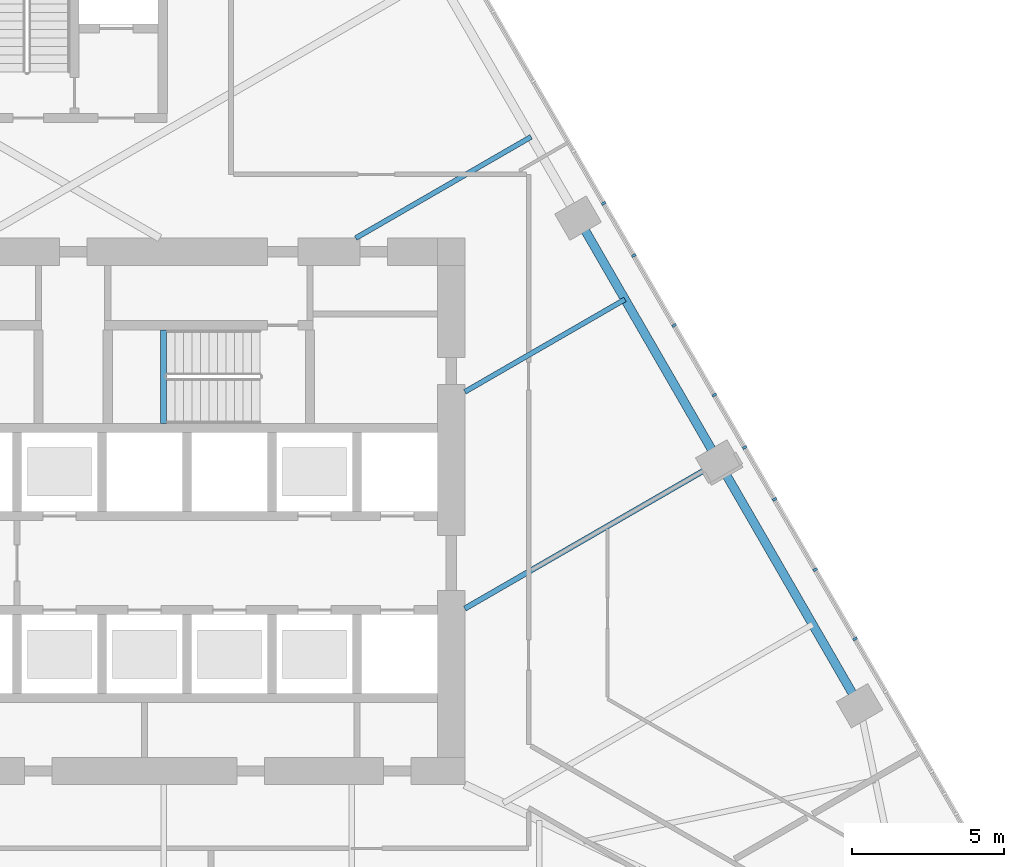
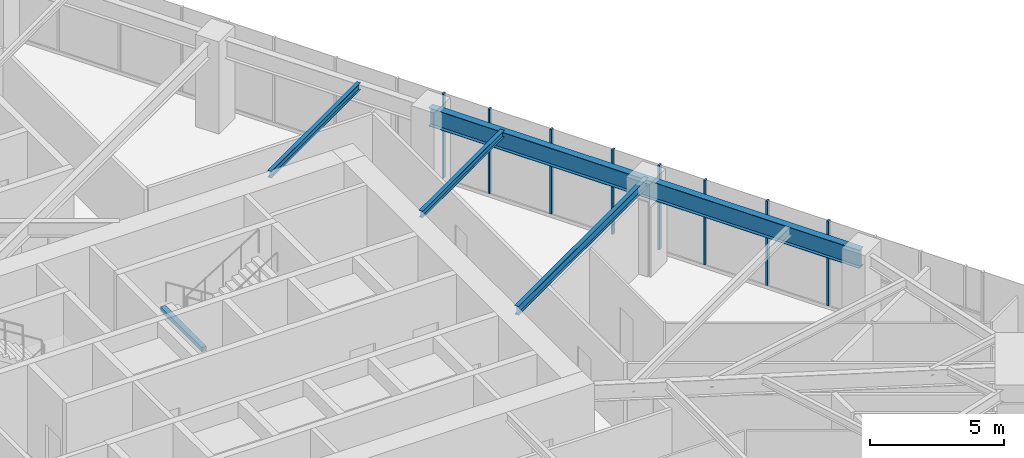
# One storey, part 7 of 22: 8 members, 5 beams, 1 element without a shape of its own.
"""IFC4 building model written with IfcOpenShell, lengths in metres."""

from ifc_helpers import new_model, si_unit, direction, frame, origin, origin_2d, place, context, subcontext, project, spatial, rectangle, i_section, extrude, material, layer, layer_set, material_profile, profile_set, type_object, element, aggregate, save


model = new_model("IFC4")

# Units and contexts
model_context = context("Model", 3, precision=1e-05, world=origin(), true_north=direction((0.0, 1.0)))
body_context = subcontext(model_context, "Body", "Model", "MODEL_VIEW")
ifc_project = project(units=[si_unit("LENGTHUNIT", "METRE"), si_unit("AREAUNIT", "SQUARE_METRE"), si_unit("VOLUMEUNIT", "CUBIC_METRE"), si_unit("PLANEANGLEUNIT", "RADIAN"), si_unit("MASSUNIT", "GRAM", prefix="KILO")], contexts=[model_context])

# Site, building, storey
site_placement = place(None, origin())
site = spatial("IfcSite", under=ifc_project, at=site_placement, CompositionType="ELEMENT")
building_placement = place(site_placement, origin())
building = spatial("IfcBuilding", under=site, at=building_placement, Name="Firuza Gate Tower and Library", CompositionType="ELEMENT")
storey_placement = place(building_placement, frame((0.0, 0.0, 132.39990234375)))
storey = spatial("IfcBuildingStorey", under=building, at=storey_placement, Name="L30", CompositionType="ELEMENT", Elevation=132.39990234375)

# Curtain wall, members
ifc_material_1 = material(Name="Aluminium 6063-T6", Category="aluminium")
ifc_layer = layer(ifc_material_1, 0.14990234375)
ifc_layer_set = layer_set([ifc_layer], Name="Unitised curtain wall, offices")
curtain_wall_type = type_object("IfcCurtainWallType", Name="Unitised curtain wall, offices", PredefinedType="NOTDEFINED", material=ifc_layer_set)
curtain_wall_placement = place(storey_placement, origin())
curtain_wall = element("IfcCurtainWall", 1, at=curtain_wall_placement, inside=storey, type_object=curtain_wall_type, Name="CW1 L30 E face", PredefinedType="NOTDEFINED")
ifc_material_2 = material(Name="Aluminium 6063-T6", Category="aluminium")
ifc_material_profile_1 = material_profile(ifc_material_2, rectangle(XDim=0.14990234375, YDim=0.080078125, at=origin_2d()))
ifc_profile_set_1 = profile_set([ifc_material_profile_1], Name="Aluminium 6063-T6")
member_type = type_object("IfcMemberType", Name="Curtain wall mullion 80x150", PredefinedType="MULLION", material=ifc_profile_set_1)
member_1_placement = place(storey_placement, frame((99.538330078125, 73.082275390625, 0.150146484375), z_axis=(0.0, 0.0, 1.0), x_axis=(-0.866025403784, -0.5, 0.0)))
member_1 = element("IfcMember", 2, at=member_1_placement, type_object=member_type, Name="Mullion", PredefinedType="MULLION", context=body_context, shape_type="SweptSolid", body=[
    extrude(rectangle(XDim=0.14990234375, YDim=0.080078125, at=origin_2d()), origin(), (0.0, 0.0, 1.0), 3.849853515625),
])
member_2_placement = place(storey_placement, frame((97.216796875, 77.103515625, 0.150146484375), z_axis=(0.0, 0.0, 1.0), x_axis=(-0.866025403784, -0.5, 0.0)))
member_2 = element("IfcMember", 3, at=member_2_placement, type_object=member_type, Name="Mullion", PredefinedType="MULLION", context=body_context, shape_type="SweptSolid", body=[
    extrude(rectangle(XDim=0.14990234375, YDim=0.080078125, at=origin_2d()), origin(), (0.0, 0.0, 1.0), 3.849853515625),
])
member_3_placement = place(storey_placement, frame((94.89501953125, 81.124755859375, 0.150146484375), z_axis=(0.0, 0.0, 1.0), x_axis=(-0.866025403784, -0.5, 0.0)))
member_3 = element("IfcMember", 4, at=member_3_placement, type_object=member_type, Name="Mullion", PredefinedType="MULLION", context=body_context, shape_type="SweptSolid", body=[
    extrude(rectangle(XDim=0.14990234375, YDim=0.080078125, at=origin_2d()), origin(), (0.0, 0.0, 1.0), 3.849853515625),
])
member_4_placement = place(storey_placement, frame((92.573486328125, 85.14599609375, 0.150146484375), z_axis=(0.0, 0.0, 1.0), x_axis=(-0.866025403784, -0.5, 0.0)))
member_4 = element("IfcMember", 5, at=member_4_placement, type_object=member_type, Name="Mullion", PredefinedType="MULLION", context=body_context, shape_type="SweptSolid", body=[
    extrude(rectangle(XDim=0.14990234375, YDim=0.080078125, at=origin_2d()), origin(), (0.0, 0.0, 1.0), 3.849853515625),
])
member_5_placement = place(storey_placement, frame((100.853759765625, 70.803955078125, 0.150146484375), z_axis=(0.0, 0.0, 1.0), x_axis=(-0.866025403784, -0.5, 0.0)))
member_5 = element("IfcMember", 6, at=member_5_placement, type_object=member_type, Name="Mullion", PredefinedType="MULLION", context=body_context, shape_type="SweptSolid", body=[
    extrude(rectangle(XDim=0.14990234375, YDim=0.080078125, at=origin_2d()), origin(), (0.0, 0.0, 1.0), 3.849853515625),
])
member_6_placement = place(storey_placement, frame((98.201416015625, 75.39794921875, 0.150146484375), z_axis=(0.0, 0.0, 1.0), x_axis=(-0.866025403784, -0.5, 0.0)))
member_6 = element("IfcMember", 7, at=member_6_placement, type_object=member_type, Name="Mullion", PredefinedType="MULLION", context=body_context, shape_type="SweptSolid", body=[
    extrude(rectangle(XDim=0.14990234375, YDim=0.080078125, at=origin_2d()), origin(), (0.0, 0.0, 1.0), 3.849853515625),
])
member_7_placement = place(storey_placement, frame((96.2177734375, 78.833984375, 0.150146484375), z_axis=(0.0, 0.0, 1.0), x_axis=(-0.866025403784, -0.5, 0.0)))
member_7 = element("IfcMember", 8, at=member_7_placement, type_object=member_type, Name="Mullion", PredefinedType="MULLION", context=body_context, shape_type="SweptSolid", body=[
    extrude(rectangle(XDim=0.14990234375, YDim=0.080078125, at=origin_2d()), origin(), (0.0, 0.0, 1.0), 3.849853515625),
])
member_8_placement = place(storey_placement, frame((93.565185546875, 83.427978515625, 0.150146484375), z_axis=(0.0, 0.0, 1.0), x_axis=(-0.866025403784, -0.5, 0.0)))
member_8 = element("IfcMember", 9, at=member_8_placement, type_object=member_type, Name="Mullion", PredefinedType="MULLION", context=body_context, shape_type="SweptSolid", body=[
    extrude(rectangle(XDim=0.14990234375, YDim=0.080078125, at=origin_2d()), origin(), (0.0, 0.0, 1.0), 3.849853515625),
])
aggregate(curtain_wall, [member_1, member_2, member_3, member_4, member_5, member_6, member_7, member_8])

# Beams
ifc_material_3 = material(Name="Concrete C35/45", Category="concrete")
ifc_material_profile_2 = material_profile(ifc_material_3, rectangle(XDim=0.199951171875, YDim=0.199951171875, at=origin_2d()))
ifc_profile_set_2 = profile_set([ifc_material_profile_2], Name="Concrete C35/45")
beam_type_1 = type_object("IfcBeamType", Name="Stair landing bearer 200x200", PredefinedType="BEAM", material=ifc_profile_set_2)
beam_1_placement = place(storey_placement, frame((78.080078125, 80.97998046875, 1.800048828125), z_axis=(0.0, -1.0, 0.0), x_axis=(1.0, 0.0, 0.0)))
element("IfcBeam", 10, at=beam_1_placement, inside=storey, type_object=beam_type_1, Name="Landing bearer L30 stair 2", PredefinedType="BEAM", context=body_context, shape_type="SweptSolid", body=[
    extrude(rectangle(XDim=0.199951171875, YDim=0.199951171875, at=origin_2d()), origin(), (0.0, 0.0, 1.0), 3.080078125),
])
ifc_material_4 = material(Name="Steel S355", Category="steel")
ifc_material_profile_3 = material_profile(ifc_material_4, i_section(OverallWidth=0.1650390625, OverallDepth=0.31005859375, WebThickness=0.005859375, FlangeThickness=0.009765625, at=origin_2d()))
ifc_profile_set_3 = profile_set([ifc_material_profile_3], Name="Steel S355")
beam_type_2 = type_object("IfcBeamType", Name="W310x39 Floor beam", PredefinedType="JOIST", material=ifc_profile_set_3)
beam_2_placement = place(storey_placement, frame((93.2744140625, 81.98193359375, 3.84521484375), z_axis=(-0.866026709368, -0.499997738657, 0.0), x_axis=(0.499997738657, -0.866026709368, 0.0)))
element("IfcBeam", 11, at=beam_2_placement, inside=storey, type_object=beam_type_2, Name="Floor beam L30 s52", PredefinedType="JOIST", context=body_context, shape_type="SweptSolid", body=[
    extrude(i_section(OverallWidth=0.1650390625, OverallDepth=0.31005859375, WebThickness=0.005859375, FlangeThickness=0.009765625, at=origin_2d()), origin(), (0.0, 0.0, 1.0), 6.09033203125),
])
beam_3_placement = place(storey_placement, frame((90.18359375, 87.335205078125, 3.84521484375), z_axis=(-0.866020406929, -0.500008654708, 0.0), x_axis=(0.500008654708, -0.866020406929, 0.0)))
element("IfcBeam", 12, at=beam_3_placement, inside=storey, type_object=beam_type_2, Name="Floor beam L30 s53", PredefinedType="JOIST", context=body_context, shape_type="SweptSolid", body=[
    extrude(i_section(OverallWidth=0.1650390625, OverallDepth=0.31005859375, WebThickness=0.005859375, FlangeThickness=0.009765625, at=origin_2d()), origin(), (0.0, 0.0, 1.0), 6.67041015625),
])
ifc_material_5 = material(Name="Steel S355", Category="steel")
ifc_material_profile_4 = material_profile(ifc_material_5, i_section(OverallWidth=0.177978515625, OverallDepth=0.406982421875, WebThickness=0.0078125, FlangeThickness=0.0126953125, at=origin_2d()))
ifc_profile_set_4 = profile_set([ifc_material_profile_4], Name="Steel S355")
beam_type_3 = type_object("IfcBeamType", Name="W410x60 Floor beam", PredefinedType="JOIST", material=ifc_profile_set_4)
beam_4_placement = place(storey_placement, frame((96.365234375, 76.62841796875, 3.796630859375), z_axis=(-0.866029011319, -0.499993751515, 0.0), x_axis=(0.499993751515, -0.866029011319, 0.0)))
element("IfcBeam", 13, at=beam_4_placement, inside=storey, type_object=beam_type_3, Name="Floor beam L30 s51", PredefinedType="JOIST", context=body_context, shape_type="SweptSolid", body=[
    extrude(i_section(OverallWidth=0.177978515625, OverallDepth=0.406982421875, WebThickness=0.0078125, FlangeThickness=0.0126953125, at=origin_2d()), origin(), (0.0, 0.0, 1.0), 9.6591796875),
])
ifc_material_6 = material(Name="Steel S355", Category="steel")
ifc_material_profile_5 = material_profile(ifc_material_6, i_section(OverallWidth=0.2919921875, OverallDepth=0.8349609375, WebThickness=0.013916015625, FlangeThickness=0.018798828125, at=origin_2d()))
ifc_profile_set_5 = profile_set([ifc_material_profile_5], Name="Steel S355")
beam_type_4 = type_object("IfcBeamType", Name="W840x176 Edge beam", PredefinedType="SPANDREL", material=ifc_profile_set_5)
beam_5_placement = place(storey_placement, frame((101.001220703125, 68.598388671875, 3.58251953125), z_axis=(-0.499997478145, 0.866026859773, 0.0), x_axis=(-0.866026859773, -0.499997478145, 0.0)))
element("IfcBeam", 14, at=beam_5_placement, inside=storey, type_object=beam_type_4, Name="Edge beam L30 e50", PredefinedType="SPANDREL", context=body_context, shape_type="SweptSolid", body=[
    extrude(i_section(OverallWidth=0.2919921875, OverallDepth=0.8349609375, WebThickness=0.013916015625, FlangeThickness=0.018798828125, at=origin_2d()), origin(), (0.0, 0.0, 1.0), 18.54443359375),
])

save(model, "model.ifc")
